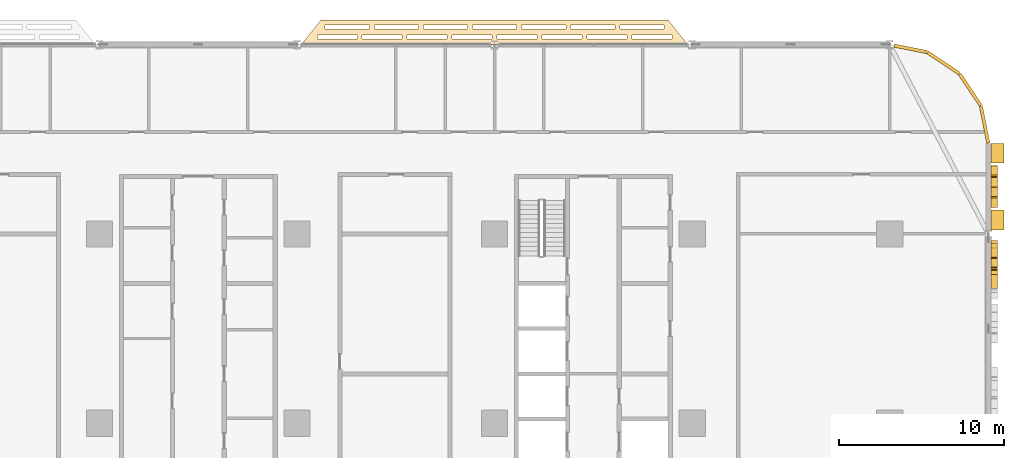
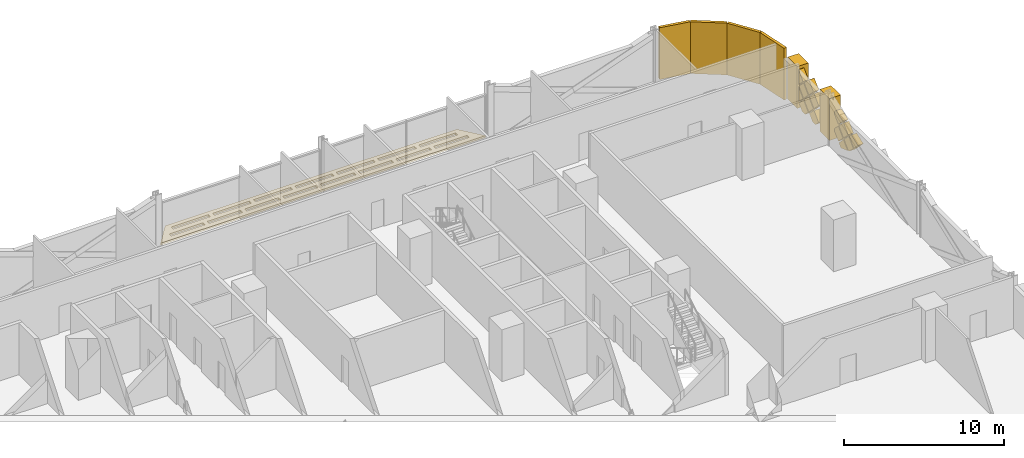
# One storey, part 27 of 27: 21 coverings.
"""IFC4 building model written with IfcOpenShell, lengths in metres."""

import ifcopenshell
import ifcopenshell.guid

model = None  # the IFC model being written
_history = None  # IfcOwnerHistory: only IFC2X3 demands one
_inside = {}  # id of a spatial element -> (the spatial element, [elements in it])
_under = {}  # id of a project, library or spatial element -> (it, [spatial elements below it])
_declared = {}  # id of a project -> (the project, [libraries it declares])
_typed = {}  # id of a type object -> (the type object, [elements of that type])
_made_of = {}  # id of a material, layer set ... -> (it, [elements and type objects made of it])


def new_model(schema):
    """Start an empty IFC model of exactly this schema.

    Asked for "IFC4X3", IfcOpenShell would pick the latest addendum, in which some entities
    have other attributes; the version numbers below select the first issue.
    IFC2X3 requires an IfcOwnerHistory on every rooted entity: one is made here for all.
    """
    global model, _history
    if schema == "IFC4X3":
        model = ifcopenshell.file(schema_version=(4, 3, 0, 0))
    else:
        model = ifcopenshell.file(schema=schema)
    _inside.clear()
    _under.clear()
    _declared.clear()
    _typed.clear()
    _made_of.clear()
    _history = None
    if model.schema == "IFC2X3":
        org = make("IfcOrganization", Name="unknown")
        user = make(
            "IfcPersonAndOrganization",
            ThePerson=make("IfcPerson", FamilyName="unknown"),
            TheOrganization=org,
        )
        app = make(
            "IfcApplication",
            ApplicationDeveloper=org,
            Version="unknown",
            ApplicationFullName="unknown",
            ApplicationIdentifier="unknown",
        )
        _history = make(
            "IfcOwnerHistory",
            OwningUser=user,
            OwningApplication=app,
            ChangeAction="ADDED",
            CreationDate=0,
        )
    return model


def make(cls, **values):
    """One entity of the class cls with the attributes given. An attribute that is None is left unset."""
    return model.create_entity(
        cls, **{name: value for name, value in values.items() if value is not None}
    )


def rooted(cls, **values):
    """An entity with a GlobalId (a new one), such as an element, a storey or a relation."""
    return make(cls, GlobalId=ifcopenshell.guid.new(), OwnerHistory=_history, **values)


def si_unit(unit_type, name, prefix=None):
    """IfcSIUnit, for example si_unit("LENGTHUNIT", "METRE", prefix="MILLI")."""
    return make("IfcSIUnit", UnitType=unit_type, Prefix=prefix, Name=name)


def assignment(units):
    """IfcUnitAssignment: the units of a project."""
    return None if units is None else make("IfcUnitAssignment", Units=units)


def point(xyz):
    """IfcCartesianPoint."""
    return None if xyz is None else make("IfcCartesianPoint", Coordinates=xyz)


def direction(xyz):
    """IfcDirection."""
    return None if xyz is None else make("IfcDirection", DirectionRatios=xyz)


def frame(location, z_axis=None, x_axis=None):
    """IfcAxis2Placement3D, a coordinate frame: its origin and axes. An axis left out is left unset."""
    return make(
        "IfcAxis2Placement3D",
        Location=point(location),
        Axis=direction(z_axis),
        RefDirection=direction(x_axis),
    )


def frame_2d(location, x_axis=None):
    """IfcAxis2Placement2D, a coordinate frame in the plane: its origin and x axis."""
    return make(
        "IfcAxis2Placement2D", Location=point(location), RefDirection=direction(x_axis)
    )


def origin():
    """The frame at (0, 0, 0) with its axes left unset."""
    return frame((0.0, 0.0, 0.0))


def origin_2d():
    """The frame at (0, 0) in the plane with its x axis left unset."""
    return frame_2d((0.0, 0.0))


def place(relative_to, where):
    """IfcLocalPlacement: puts the frame where relative to a parent placement (None: the world)."""
    return make(
        "IfcLocalPlacement", PlacementRelTo=relative_to, RelativePlacement=where
    )


def context(
    kind, dimensions, precision=None, world=None, true_north=None, identifier=None
):
    """IfcGeometricRepresentationContext, for example the 3D "Model" context."""
    return make(
        "IfcGeometricRepresentationContext",
        ContextIdentifier=identifier,
        ContextType=kind,
        CoordinateSpaceDimension=dimensions,
        Precision=precision,
        WorldCoordinateSystem=world,
        TrueNorth=true_north,
    )


def subcontext(parent, identifier, kind, view, scale=None):
    """IfcGeometricRepresentationSubContext, for example "Body" below "Model"."""
    return make(
        "IfcGeometricRepresentationSubContext",
        ContextIdentifier=identifier,
        ContextType=kind,
        ParentContext=parent,
        TargetScale=scale,
        TargetView=view,
    )


def project(units=None, contexts=None):
    """IfcProject with its units and contexts."""
    return rooted(
        "IfcProject",
        Name="project",
        RepresentationContexts=contexts,
        UnitsInContext=assignment(units),
    )


def spatial(cls, under=None, at=None, **own):
    """A site, building, storey or space (cls), placed at a placement, below another one or the project."""
    s = rooted(cls, ObjectPlacement=at, **own)
    if under is not None:
        _under.setdefault(under.id(), (under, []))[1].append(s)
    return s


def polyline(points):
    """IfcPolyline through the points."""
    return make("IfcPolyline", Points=[point(p) for p in points])


def profile(cls, at=None, kind="AREA", **sizes):
    """A parametric profile (cls). Its sizes go by their IFC names, for example OverallWidth=200.0."""
    return make(cls, ProfileType=kind, Position=at, **sizes)


def rectangle(**sizes):
    """IfcRectangleProfileDef."""
    return profile("IfcRectangleProfileDef", **sizes)


def outline(outer, holes=None, kind="AREA"):
    """IfcArbitraryClosedProfileDef: a profile drawn as a closed curve; with holes, ...WithVoids."""
    if holes is None:
        return make("IfcArbitraryClosedProfileDef", ProfileType=kind, OuterCurve=outer)
    return make(
        "IfcArbitraryProfileDefWithVoids",
        ProfileType=kind,
        OuterCurve=outer,
        InnerCurves=holes,
    )


def extrude(swept, where, along, depth):
    """IfcExtrudedAreaSolid: the profile swept, set in the frame where, extruded along a direction by depth."""
    return make(
        "IfcExtrudedAreaSolid",
        SweptArea=swept,
        Position=where,
        ExtrudedDirection=direction(along),
        Depth=depth,
    )


def shape(context_of_items, identifier, shape_type, items):
    """IfcShapeRepresentation: the items that make up one representation, for example the "Body"."""
    return make(
        "IfcShapeRepresentation",
        ContextOfItems=context_of_items,
        RepresentationIdentifier=identifier,
        RepresentationType=shape_type,
        Items=items,
    )


def material(Name=None, Category=None):
    """IfcMaterial."""
    return make("IfcMaterial", Name=Name, Category=Category)


def layer(
    of_material, thickness, ventilated=None, Name=None, Category=None, Priority=None
):
    """IfcMaterialLayer: one layer of a wall or slab, of a material (None: an air gap)."""
    return make(
        "IfcMaterialLayer",
        Material=of_material,
        LayerThickness=thickness,
        IsVentilated=ventilated,
        Name=Name,
        Category=Category,
        Priority=Priority,
    )


def layer_set(layers, Name=None):
    """IfcMaterialLayerSet."""
    return make("IfcMaterialLayerSet", MaterialLayers=layers, LayerSetName=Name)


def made_of(thing, what):
    """Note that an element or type object is made of a material, layer set ...; save() writes the relation."""
    if what is not None:
        _made_of.setdefault(what.id(), (what, []))[1].append(thing)
    return thing


def type_object(cls, material=None, **own):
    """A type object (cls), such as IfcWallType, which elements share."""
    return made_of(rooted(cls, **own), material)


def element(
    cls,
    number,
    at=None,
    inside=None,
    cuts=None,
    type_object=None,
    material=None,
    context=None,
    identifier="Body",
    shape_type=None,
    held_by="IfcProductDefinitionShape",
    body=None,
    shapes=None,
    **own,
):
    """One element of the class cls, such as IfcWall. Its Tag is "e" and its number.

    at: its placement. inside: the storey or other place that contains it. cuts: it is an
    opening in that element (IfcRelVoidsElement). A single representation is given by context,
    identifier, shape_type and body (its items); several are given by shapes. held_by: the class
    of the entity that holds the representations. save() writes the other relations.
    """
    e = rooted(cls, Tag="e%d" % number, ObjectPlacement=at, **own)
    if body is not None:
        shapes = [shape(context, identifier, shape_type, body)]
    if shapes is not None:
        e.Representation = make(held_by, Representations=shapes)
    if inside is not None:
        _inside.setdefault(inside.id(), (inside, []))[1].append(e)
    if cuts is not None:
        rooted(
            "IfcRelVoidsElement", RelatingBuildingElement=cuts, RelatedOpeningElement=e
        )
    if type_object is not None:
        _typed.setdefault(type_object.id(), (type_object, []))[1].append(e)
    return made_of(e, material)


def aggregate(whole, parts):
    """IfcRelAggregates: a whole, such as a stair, and the parts it consists of."""
    return rooted("IfcRelAggregates", RelatingObject=whole, RelatedObjects=parts)


def save(model, path):
    """Write the relations noted so far, then the file.

    IfcRelAggregates (storeys below a building ...), IfcRelContainedInSpatialStructure (elements
    in a storey), IfcRelDefinesByType, IfcRelAssociatesMaterial and IfcRelDeclares: one each for
    every whole, place, type object, material and project.
    """
    for whole, parts in _under.values():
        aggregate(whole, parts)
    for where, things in _inside.values():
        rooted(
            "IfcRelContainedInSpatialStructure",
            RelatedElements=things,
            RelatingStructure=where,
        )
    for kind, things in _typed.values():
        rooted("IfcRelDefinesByType", RelatedObjects=things, RelatingType=kind)
    for what, things in _made_of.values():
        rooted("IfcRelAssociatesMaterial", RelatedObjects=things, RelatingMaterial=what)
    for by, libraries in _declared.values():
        rooted("IfcRelDeclares", RelatingContext=by, RelatedDefinitions=libraries)
    model.write(path)


model = new_model("IFC4")

# Units and contexts
model_context = context("Model", 3, precision=1e-05, world=origin(), true_north=direction((0.0, 1.0)))
body_context = subcontext(model_context, "Body", "Model", "MODEL_VIEW")
ifc_project = project(units=[si_unit("LENGTHUNIT", "METRE"), si_unit("AREAUNIT", "SQUARE_METRE"), si_unit("VOLUMEUNIT", "CUBIC_METRE"), si_unit("PLANEANGLEUNIT", "RADIAN"), si_unit("MASSUNIT", "GRAM", prefix="KILO")], contexts=[model_context])

# Site, building, storey
site_placement = place(None, origin())
site = spatial("IfcSite", under=ifc_project, at=site_placement, CompositionType="ELEMENT")
building_placement = place(site_placement, origin())
building = spatial("IfcBuilding", under=site, at=building_placement, Name="Mahtab Terrace Research Tower", CompositionType="ELEMENT")
storey_placement = place(building_placement, frame((0.0, 0.0, 28.699951171875)))
storey = spatial("IfcBuildingStorey", under=building, at=storey_placement, Name="L06", CompositionType="ELEMENT", Elevation=28.699951171875)

# Coverings
ifc_material_1 = material(Name="Black aluminium cladding panel", Category="aluminium")
ifc_layer_1 = layer(ifc_material_1, 0.199951171875)
ifc_layer_set_1 = layer_set([ifc_layer_1], Name="Black metal corner cladding 200")
covering_type_1 = type_object("IfcCoveringType", Name="Black metal corner cladding 200", PredefinedType="CLADDING", material=ifc_layer_set_1)
for number, where, z_axis, x_axis, name in (
    (1, (46.89306640625, 20.26953125, 0.0), (0.0, 0.0, 1.0), (-0.555291490808, 0.831655794326, 0.0), "Corner cladding L06 0"),
    (2, (45.26953125, 21.89306640625, 0.0), (0.0, 0.0, 1.0), (-0.831655794326, 0.555291490808, 0.0), "Corner cladding L06 1"),
):
    element("IfcCovering", number, at=place(storey_placement, frame(where, z_axis=z_axis, x_axis=x_axis)), inside=storey, type_object=covering_type_1, Name=name, PredefinedType="CLADDING", context=body_context, shape_type="SweptSolid", body=[
        extrude(rectangle(XDim=2.30126953125, YDim=0.199951171875, at=origin_2d()), origin(), (0.0, 0.0, 1.0), 3.9599609375),
    ])
covering_1_placement = place(storey_placement, frame((43.28173828125, 22.744873046875, 0.0), z_axis=(0.0, 0.0, 1.0), x_axis=(-0.980760981187, 0.195212442692, 0.0)))
element("IfcCovering", 3, at=covering_1_placement, inside=storey, type_object=covering_type_1, Name="Corner cladding L06 2", PredefinedType="CLADDING", context=body_context, shape_type="SweptSolid", body=[
    extrude(rectangle(XDim=2.0283203125, YDim=0.199951171875, at=origin_2d()), origin(), (0.0, 0.0, 1.0), 3.9599609375),
])
covering_2_placement = place(storey_placement, frame((47.771484375, 18.14794921875, 0.0), z_axis=(0.0, 0.0, 1.0), x_axis=(-0.195212442692, 0.980760981187, 0.0)))
element("IfcCovering", 4, at=covering_2_placement, inside=storey, type_object=covering_type_1, Name="Corner cladding L06 37", PredefinedType="CLADDING", context=body_context, shape_type="SweptSolid", body=[
    extrude(rectangle(XDim=2.30126953125, YDim=0.199951171875, at=origin_2d()), origin(), (0.0, 0.0, 1.0), 3.9599609375),
])
ifc_material_2 = material(Name="Black anodised aluminium", Category="aluminium")
ifc_layer_2 = layer(ifc_material_2, 0.14990234375)
ifc_layer_set_2 = layer_set([ifc_layer_2], Name="Horizontal sunshade band")
covering_type_2 = type_object("IfcCoveringType", Name="Horizontal sunshade band", PredefinedType="CLADDING", material=ifc_layer_set_2)
covering_3_placement = place(storey_placement, frame((0.0, 0.0, -0.14990234375)))
element("IfcCovering", 5, at=covering_3_placement, inside=storey, type_object=covering_type_2, Name="Sunshade band L06 4", PredefinedType="CLADDING", context=body_context, shape_type="SweptSolid", body=[
    extrude(outline(polyline([(29.7509765625, 23.0), (6.2490234375, 23.0), (7.448974609375, 24.5), (28.551025390625, 24.5), (29.7509765625, 23.0)]), holes=[polyline([(28.77099609375, 23.35009765625), (26.341064453125, 23.35009765625), (26.341064453125, 23.60009765625), (28.77099609375, 23.60009765625), (28.77099609375, 23.35009765625)]), polyline([(26.041015625, 23.35009765625), (23.611083984375, 23.35009765625), (23.611083984375, 23.60009765625), (26.041015625, 23.60009765625), (26.041015625, 23.35009765625)]), polyline([(23.31103515625, 23.35009765625), (20.8798828125, 23.35009765625), (20.8798828125, 23.60009765625), (23.31103515625, 23.60009765625), (23.31103515625, 23.35009765625)]), polyline([(20.580078125, 23.35009765625), (18.14990234375, 23.35009765625), (18.14990234375, 23.60009765625), (20.580078125, 23.60009765625), (20.580078125, 23.35009765625)]), polyline([(17.85009765625, 23.35009765625), (15.419921875, 23.35009765625), (15.419921875, 23.60009765625), (17.85009765625, 23.60009765625), (17.85009765625, 23.35009765625)]), polyline([(15.1201171875, 23.35009765625), (12.68994140625, 23.35009765625), (12.68994140625, 23.60009765625), (15.1201171875, 23.60009765625), (15.1201171875, 23.35009765625)]), polyline([(12.389892578125, 23.35009765625), (9.958984375, 23.35009765625), (9.958984375, 23.60009765625), (12.389892578125, 23.60009765625), (12.389892578125, 23.35009765625)]), polyline([(9.658935546875, 23.35009765625), (7.22900390625, 23.35009765625), (7.22900390625, 23.60009765625), (9.658935546875, 23.60009765625), (9.658935546875, 23.35009765625)]), polyline([(28.291015625, 23.949951171875), (25.60791015625, 23.949951171875), (25.60791015625, 24.199951171875), (28.291015625, 24.199951171875), (28.291015625, 23.949951171875)]), polyline([(25.30810546875, 23.949951171875), (22.625, 23.949951171875), (22.625, 24.199951171875), (25.30810546875, 24.199951171875), (25.30810546875, 23.949951171875)]), polyline([(22.324951171875, 23.949951171875), (19.64208984375, 23.949951171875), (19.64208984375, 24.199951171875), (22.324951171875, 24.199951171875), (22.324951171875, 23.949951171875)]), polyline([(19.342041015625, 23.949951171875), (16.657958984375, 23.949951171875), (16.657958984375, 24.199951171875), (19.342041015625, 24.199951171875), (19.342041015625, 23.949951171875)]), polyline([(16.35791015625, 23.949951171875), (13.675048828125, 23.949951171875), (13.675048828125, 24.199951171875), (16.35791015625, 24.199951171875), (16.35791015625, 23.949951171875)]), polyline([(13.375, 23.949951171875), (10.69189453125, 23.949951171875), (10.69189453125, 24.199951171875), (13.375, 24.199951171875), (13.375, 23.949951171875)]), polyline([(10.39208984375, 23.949951171875), (7.708984375, 23.949951171875), (7.708984375, 24.199951171875), (10.39208984375, 24.199951171875), (10.39208984375, 23.949951171875)])]), origin(), (0.0, 0.0, 1.0), 0.14990234375),
])
ifc_material_3 = material(Name="Bronze anodised aluminium", Category="aluminium")
ifc_layer_3 = layer(ifc_material_3, 0.39990234375)
ifc_layer_set_3 = layer_set([ifc_layer_3], Name="Mashrabiya relief panel 400")
covering_type_3 = type_object("IfcCoveringType", Name="Mashrabiya relief panel 400", PredefinedType="CLADDING", material=ifc_layer_set_3)
covering_4_placement = place(storey_placement, frame((48.14990234375, 9.279052734375, 1.85009765625), z_axis=(-1.0, 0.0, 0.0), x_axis=(0.0, -0.707106781187, -0.707106781187)))
element("IfcCovering", 6, at=covering_4_placement, inside=storey, type_object=covering_type_3, Name="Mashrabiya lattice cell L06 E35.10", PredefinedType="CLADDING", context=body_context, shape_type="SweptSolid", body=[
    extrude(outline(polyline([(0.0, 0.0), (0.8203543516109556, 0.0), (0.8203543516109556, 0.7098689170505575), (0.0, 0.3366353084262128), (0.0, 0.0)])), origin(), (0.0, 0.0, -1.0), 0.39990234375),
])
covering_5_placement = place(storey_placement, frame((48.14990234375, 8.76904296875, 1.199951171875), z_axis=(-1.0, 0.0, 0.0), x_axis=(0.0, 0.707106781187, 0.707106781187)))
element("IfcCovering", 7, at=covering_5_placement, inside=storey, type_object=covering_type_3, Name="Mashrabiya lattice cell L06 E35.11", PredefinedType="CLADDING", context=body_context, shape_type="SweptSolid", body=[
    extrude(outline(polyline([(0.0, 0.0), (0.8203543516109556, 0.0), (0.820181718119455, 0.820181718119455), (0.041086770977148024, 0.8200090846279544), (0.0, 0.7281680671496235), (0.0, 0.0)])), origin(), (0.0, 0.0, -1.0), 0.39990234375),
])
covering_6_placement = place(storey_placement, frame((48.14990234375, 9.9990234375, 1.130126953125), z_axis=(-1.0, 0.0, 0.0), x_axis=(0.0, 0.707106781187, -0.707106781187)))
element("IfcCovering", 8, at=covering_6_placement, inside=storey, type_object=covering_type_3, Name="Mashrabiya lattice cell L06 E35.12", PredefinedType="CLADDING", context=body_context, shape_type="SweptSolid", body=[
    extrude(outline(polyline([(0.0, 0.0), (0.8203543516109556, 0.0), (0.820181718119455, 0.3592502958127942), (0.0, 0.7340376058606446), (0.0, 0.0)])), origin(), (0.0, 0.0, -1.0), 0.39990234375),
])
covering_7_placement = place(storey_placement, frame((48.14990234375, 9.9990234375, 2.429931640625), z_axis=(-1.0, 0.0, 0.0), x_axis=(0.0, 0.707255598772, -0.706957932274)))
element("IfcCovering", 9, at=covering_7_placement, inside=storey, type_object=covering_type_3, Name="Mashrabiya lattice cell L06 E35.13", PredefinedType="CLADDING", context=body_context, shape_type="SweptSolid", body=[
    extrude(outline(polyline([(0.0, 0.0), (0.8201817362875763, 0.0), (0.8200090664636573, 0.8203543334390104), (-0.0003452669753531423, 0.8201816636150915), (0.0, 0.0)])), origin(), (0.0, 0.0, -1.0), 0.39990234375),
])
covering_8_placement = place(storey_placement, frame((48.14990234375, 10.64892578125, 0.6201171875), z_axis=(-1.0, 0.0, 0.0), x_axis=(0.0, -0.707106781187, 0.707106781187)))
element("IfcCovering", 10, at=covering_8_placement, inside=storey, type_object=covering_type_3, Name="Mashrabiya lattice cell L06 E35.14", PredefinedType="CLADDING", context=body_context, shape_type="SweptSolid", body=[
    extrude(outline(polyline([(0.0, 0.0), (0.8200090846279543, 0.0), (0.820181718119455, 0.820181718119455), (0.1596859796380753, 0.820181718119455), (0.0, 0.6604957384813797), (0.0, 0.0)])), origin(), (0.0, 0.0, -1.0), 0.39990234375),
])
covering_9_placement = place(storey_placement, frame((48.14990234375, 10.64892578125, 1.920166015625), z_axis=(-1.0, 0.0, 0.0), x_axis=(0.0, -0.707106781187, 0.707106781187)))
element("IfcCovering", 11, at=covering_9_placement, inside=storey, type_object=covering_type_3, Name="Mashrabiya lattice cell L06 E35.15", PredefinedType="CLADDING", context=body_context, shape_type="SweptSolid", body=[
    extrude(outline(polyline([(0.0, 0.0), (0.7916971920218523, 0.0), (0.4170825154655026, 0.8203543516109555), (0.1596859796380753, 0.820181718119455), (-0.0001726334915006511, 0.660323104989879), (0.0, 0.0)])), origin(), (0.0, 0.0, -1.0), 0.39990234375),
])
covering_10_placement = place(storey_placement, frame((48.14990234375, 13.118896484375, 0.550048828125), z_axis=(-1.0, 0.0, 0.0), x_axis=(0.0, 0.707106781187, 0.707106781187)))
element("IfcCovering", 12, at=covering_10_placement, inside=storey, type_object=covering_type_3, Name="Mashrabiya lattice cell L06 E36.1", PredefinedType="CLADDING", context=body_context, shape_type="SweptSolid", body=[
    extrude(outline(polyline([(0.0, 0.0), (0.8203543516109556, 0.0), (0.8203543516109556, 0.8203543516109556), (0.23340048050884088, 0.8203543516109556), (0.0, 0.5869538711021147), (0.0, 0.0)])), origin(), (0.0, 0.0, -1.0), 0.39990234375),
])
covering_11_placement = place(storey_placement, frame((48.14990234375, 13.698974609375, 2.429931640625), z_axis=(-1.0, 0.0, 0.0), x_axis=(0.0, 0.707255598772, -0.706957932274)))
element("IfcCovering", 13, at=covering_11_placement, inside=storey, type_object=covering_type_3, Name="Mashrabiya lattice cell L06 E36.2", PredefinedType="CLADDING", context=body_context, shape_type="SweptSolid", body=[
    extrude(outline(polyline([(0.0, 0.0), (0.8201817362875763, 0.0), (0.8200090664636573, 0.8203543334390104), (-0.0003452669753531423, 0.8201816636150915), (0.0, 0.0)])), origin(), (0.0, 0.0, -1.0), 0.39990234375),
])
covering_12_placement = place(storey_placement, frame((48.14990234375, 14.34912109375, 1.780029296875), z_axis=(-1.0, 0.0, 0.0), x_axis=(0.0, 0.706957932274, -0.707255598772)))
element("IfcCovering", 14, at=covering_12_placement, inside=storey, type_object=covering_type_3, Name="Mashrabiya lattice cell L06 E36.3", PredefinedType="CLADDING", context=body_context, shape_type="SweptSolid", body=[
    extrude(outline(polyline([(0.0, 0.0), (0.8201817362875763, 0.0), (0.8203543334390104, 0.8200090664636573), (0.00017266982391900276, 0.8203543334390104), (0.0, 0.0)])), origin(), (0.0, 0.0, -1.0), 0.39990234375),
])
covering_13_placement = place(storey_placement, frame((48.14990234375, 14.928955078125, 2.5), z_axis=(-1.0, 0.0, 0.0), x_axis=(0.0, -0.707106781187, -0.707106781187)))
element("IfcCovering", 15, at=covering_13_placement, inside=storey, type_object=covering_type_3, Name="Mashrabiya lattice cell L06 E36.4", PredefinedType="CLADDING", context=body_context, shape_type="SweptSolid", body=[
    extrude(outline(polyline([(0.0, 0.0), (0.8200090846279543, 0.0), (0.820181718119455, 0.820181718119455), (0.01691808216706092, 0.8203543516109556), (-0.0001726334915006511, 0.803263635952394), (0.0, 0.0)])), origin(), (0.0, 0.0, -1.0), 0.39990234375),
])
covering_14_placement = place(storey_placement, frame((48.14990234375, 14.4189453125, 0.550048828125), z_axis=(-1.0, 0.0, 0.0), x_axis=(0.0, 0.707106781187, 0.707106781187)))
element("IfcCovering", 16, at=covering_14_placement, inside=storey, type_object=covering_type_3, Name="Mashrabiya lattice cell L06 E36.5", PredefinedType="CLADDING", context=body_context, shape_type="SweptSolid", body=[
    extrude(outline(polyline([(0.0, 0.0), (0.8203543516109556, 0.0), (0.8203543516109556, 0.8203543516109556), (0.23340048050884088, 0.8203543516109556), (0.0, 0.5869538711021147), (0.0, 0.0)])), origin(), (0.0, 0.0, -1.0), 0.39990234375),
])
covering_15_placement = place(storey_placement, frame((48.14990234375, 14.9990234375, 2.429931640625), z_axis=(-1.0, 0.0, 0.0), x_axis=(0.0, 0.707255598772, -0.706957932274)))
element("IfcCovering", 17, at=covering_15_placement, inside=storey, type_object=covering_type_3, Name="Mashrabiya lattice cell L06 E36.6", PredefinedType="CLADDING", context=body_context, shape_type="SweptSolid", body=[
    extrude(outline(polyline([(0.0, 0.0), (0.8201817362875763, 0.0), (0.8200090664636573, 0.8203543334390104), (-0.0003452669753531423, 0.8201816636150915), (0.0, 0.0)])), origin(), (0.0, 0.0, -1.0), 0.39990234375),
])
covering_16_placement = place(storey_placement, frame((48.14990234375, 15.64892578125, 0.6201171875), z_axis=(-1.0, 0.0, 0.0), x_axis=(0.0, -0.707106781187, 0.707106781187)))
element("IfcCovering", 18, at=covering_16_placement, inside=storey, type_object=covering_type_3, Name="Mashrabiya lattice cell L06 E36.7", PredefinedType="CLADDING", context=body_context, shape_type="SweptSolid", body=[
    extrude(outline(polyline([(0.0, 0.0), (0.8200090846279543, 0.0), (0.820181718119455, 0.820181718119455), (0.7975667307328734, 0.8203543516109556), (-0.00017263349150062161, 0.022614987386581478), (0.0, 0.0)])), origin(), (0.0, 0.0, -1.0), 0.39990234375),
])
covering_17_placement = place(storey_placement, frame((48.14990234375, 15.64892578125, 1.920166015625), z_axis=(-1.0, 0.0, 0.0), x_axis=(0.0, -0.707106781187, 0.707106781187)))
element("IfcCovering", 19, at=covering_17_placement, inside=storey, type_object=covering_type_3, Name="Mashrabiya lattice cell L06 E36.8", PredefinedType="CLADDING", context=body_context, shape_type="SweptSolid", body=[
    extrude(outline(polyline([(0.0, 0.0), (0.8200090846279543, 0.0), (0.820181718119455, 0.803263635952394), (0.7973940972413728, 0.820181718119455), (-0.00017263349150062161, 0.022614987386581478), (0.0, 0.0)])), origin(), (0.0, 0.0, -1.0), 0.39990234375),
])
ifc_material_4 = material(Name="Glazed ceramic tile cladding", Category="masonry")
ifc_layer_4 = layer(ifc_material_4, 0.800048828125)
ifc_layer_set_4 = layer_set([ifc_layer_4], Name="Pishtaq frame pier 800")
covering_type_4 = type_object("IfcCoveringType", Name="Pishtaq frame pier 800", PredefinedType="CLADDING", material=ifc_layer_set_4)
for number, where, z_axis, x_axis, name in (
    (20, (48.550048828125, 12.34912109375, 0.00048828125), (0.0, 0.0, 1.0), (0.0, 1.0, 0.0), "Pishtaq frame pier 36a"),
    (21, (48.550048828125, 16.39990234375, 0.00048828125), (0.0, 0.0, 1.0), (0.0, 1.0, 0.0), "Pishtaq frame pier 36b"),
):
    element("IfcCovering", number, at=place(storey_placement, frame(where, z_axis=z_axis, x_axis=x_axis)), inside=storey, type_object=covering_type_4, Name=name, PredefinedType="CLADDING", context=body_context, shape_type="SweptSolid", body=[
        extrude(rectangle(XDim=1.199951171875, YDim=0.800048828125, at=origin_2d()), origin(), (0.0, 0.0, 1.0), 3.202880859375),
    ])

save(model, "model.ifc")
